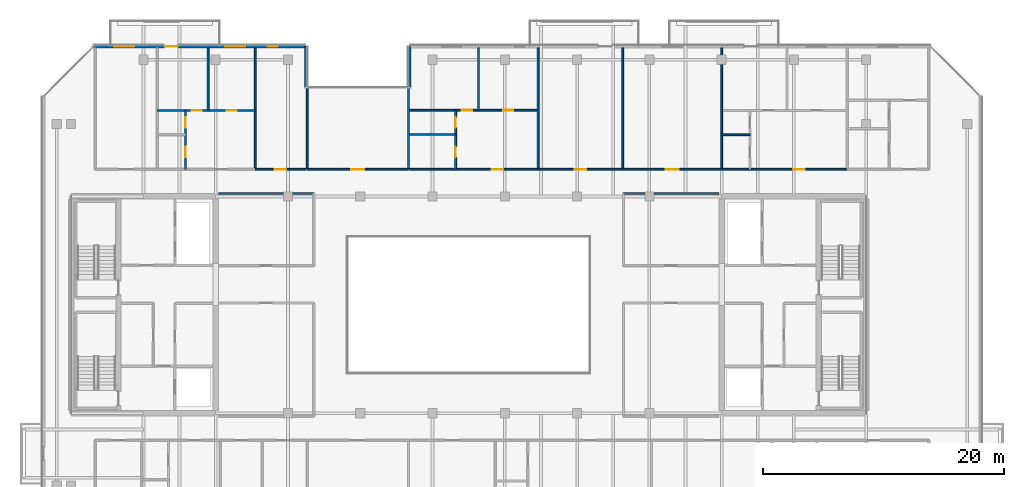
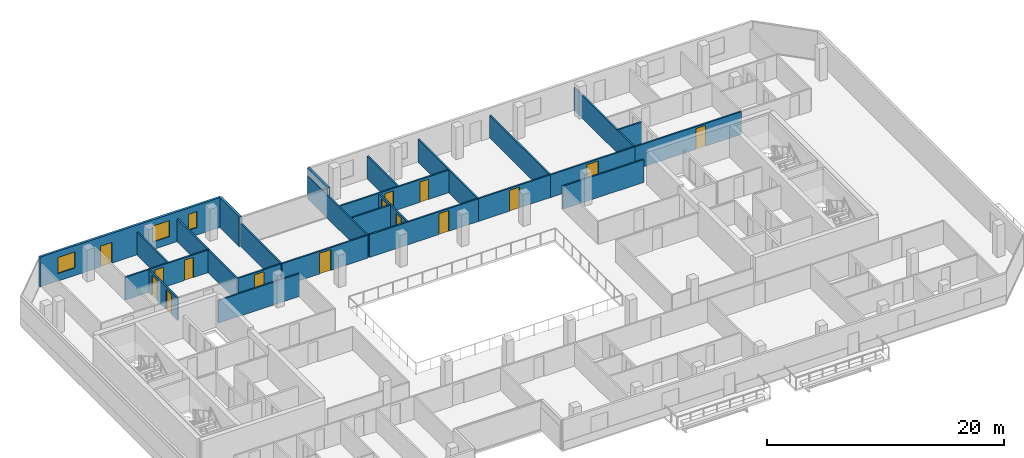
# One storey, part 21 of 28: 25 walls, 15 doors, 3 windows, 18 openings.
"""IFC4 building model written with IfcOpenShell, lengths in metres."""

from ifc_helpers import new_model, si_unit, direction, frame, frame_2d, origin, place, context, subcontext, project, spatial, rectangle, extrude, material, layer, layer_set, type_object, element, fill, save


model = new_model("IFC4")

# Units and contexts
model_context = context("Model", 3, precision=1e-05, world=origin(), true_north=direction((0.0, 1.0)))
body_context = subcontext(model_context, "Body", "Model", "MODEL_VIEW")
ifc_project = project(units=[si_unit("LENGTHUNIT", "METRE"), si_unit("AREAUNIT", "SQUARE_METRE"), si_unit("VOLUMEUNIT", "CUBIC_METRE"), si_unit("PLANEANGLEUNIT", "RADIAN"), si_unit("MASSUNIT", "GRAM", prefix="KILO")], contexts=[model_context])

# Site, building, storey
site_placement = place(None, origin())
site = spatial("IfcSite", under=ifc_project, at=site_placement, CompositionType="ELEMENT")
building_placement = place(site_placement, origin())
building = spatial("IfcBuilding", under=site, at=building_placement, Name="Tanjung Sevakor Pilgrim Tower", CompositionType="ELEMENT")
storey_placement = place(building_placement, frame((0.0, 0.0, 222.75)))
storey = spatial("IfcBuildingStorey", under=building, at=storey_placement, Name="L62", CompositionType="ELEMENT", Elevation=222.75)

# Walls
ifc_material_1 = material(Name="Concrete C40/50", Category="concrete")
ifc_layer_1 = layer(ifc_material_1, 0.14990234375)
ifc_layer_set_1 = layer_set([ifc_layer_1], Name="WT-COMP-150")
wall_type_1 = type_object("IfcWallType", Name="WT-COMP-150", PredefinedType="SOLIDWALL", material=ifc_layer_set_1)
for number, where, z_axis, x_axis, name in (
    (1, (36.2451171875, 42.85009765625, 0.0), (0.0, 0.0, 1.0), (1.0, 0.0, 0.0), "L62 Partition IW-L62-023"),
    (2, (69.85009765625, 42.85009765625, 0.0), (0.0, 0.0, 1.0), (1.0, 0.0, 0.0), "L62 Partition IW-L62-029"),
):
    element("IfcWall", number, at=place(storey_placement, frame(where, z_axis=z_axis, x_axis=x_axis)), inside=storey, type_object=wall_type_1, Name=name, PredefinedType="SOLIDWALL", context=body_context, shape_type="SweptSolid", body=[
        extrude(rectangle(XDim=7.90478515625, YDim=0.14990234375, at=frame_2d((3.952392578125, 0.0))), origin(), (0.0, 0.0, 1.0), 2.35009765625),
    ])

# Wall, opening, door
wall_1_placement = place(storey_placement, frame((43.60009765625, 44.85009765625, 0.0), z_axis=(0.0, 0.0, 1.0), x_axis=(1.0, 0.0, 0.0)))
wall_1 = element("IfcWall", 3, at=wall_1_placement, inside=storey, type_object=wall_type_1, Name="L62 Partition IW-L62-034", PredefinedType="SOLIDWALL", context=body_context, shape_type="SweptSolid", body=[
    extrude(rectangle(XDim=8.39990234375, YDim=0.14990234375, at=frame_2d((4.199951171875, 0.0))), origin(), (0.0, 0.0, 1.0), 2.35009765625),
])
opening_1_placement = place(wall_1_placement, frame((3.64990234375, 0.0, 0.0)))
opening_1 = element("IfcOpeningElement", 4, at=opening_1_placement, cuts=wall_1, Name="Opening ID-RM2", PredefinedType="OPENING", context=body_context, shape_type="SweptSolid", body=[
    extrude(rectangle(XDim=1.10009765625, YDim=2.14990234375, at=frame_2d((0.550048828125, 1.074951171875))), frame((0.0, 0.0849609375, 0.0), z_axis=(0.0, -1.0, 0.0), x_axis=(1.0, 0.0, 0.0)), (0.0, 0.0, 1.0), 0.169921875),
])
ifc_material_2 = material(Name="Hardwood Timber", Category="wood")
door_type_1 = type_object("IfcDoorType", Name="DT-INT-1100", OperationType="NOTDEFINED", PredefinedType="DOOR", material=ifc_material_2)
door_1_placement = place(opening_1_placement, origin())
door_1 = element("IfcDoor", 5, at=door_1_placement, inside=storey, type_object=door_type_1, Name="L62 North Cleft Reading Room Door", OperationType="SINGLE_SWING_LEFT", OverallHeight=2.14990234375, OverallWidth=1.10009765625, PredefinedType="DOOR", context=body_context, shape_type="SweptSolid", body=[
    extrude(rectangle(XDim=1.10009765625, YDim=2.14990234375, at=frame_2d((0.550048828125, 1.074951171875))), frame((0.0, 0.02490234375, 0.0), z_axis=(0.0, -1.0, 0.0), x_axis=(1.0, 0.0, 0.0)), (0.0, 0.0, 1.0), 0.050048828125),
])
fill(opening_1, door_1)

# Walls
for number, where, z_axis, x_axis, name in (
    (6, (43.60009765625, 44.85009765625, 0.0), (0.0, 0.0, 1.0), (0.0, 1.0, 0.0), "L62 Partition IW-L62-035"),
    (7, (52.0, 44.85009765625, 0.0), (0.0, 0.0, 1.0), (0.0, 1.0, 0.0), "L62 Partition IW-L62-036"),
    (8, (39.275390625, 44.85009765625, 0.0), (0.0, 0.0, 1.0), (0.0, 1.0, 0.0), "L62 Partition IW-L62-067"),
):
    element("IfcWall", number, at=place(storey_placement, frame(where, z_axis=z_axis, x_axis=x_axis)), inside=storey, type_object=wall_type_1, Name=name, PredefinedType="SOLIDWALL", context=body_context, shape_type="SweptSolid", body=[
        extrude(rectangle(XDim=10.079833984375, YDim=0.14990234375, at=frame_2d((5.0400390625, 0.0))), origin(), (0.0, 0.0, 1.0), 2.35009765625),
    ])

# Wall, opening, door
wall_2_placement = place(storey_placement, frame((39.275390625, 44.85009765625, 0.0), z_axis=(0.0, 0.0, 1.0), x_axis=(1.0, 0.0, 0.0)))
wall_2 = element("IfcWall", 9, at=wall_2_placement, inside=storey, type_object=wall_type_1, Name="L62 Partition IW-L62-073", PredefinedType="SOLIDWALL", context=body_context, shape_type="SweptSolid", body=[
    extrude(rectangle(XDim=4.20458984375, YDim=0.14990234375, at=frame_2d((2.102294921875, 0.0))), origin(), (0.0, 0.0, 1.0), 2.35009765625),
])
opening_2_placement = place(wall_2_placement, frame((1.627197265625, 0.0, 0.0)))
opening_2 = element("IfcOpeningElement", 10, at=opening_2_placement, cuts=wall_2, Name="Opening ID-FD2", PredefinedType="OPENING", context=body_context, shape_type="SweptSolid", body=[
    extrude(rectangle(XDim=0.949951171875, YDim=2.14990234375, at=frame_2d((0.47509765625, 1.074951171875))), frame((0.0, 0.0849609375, 0.0), z_axis=(0.0, -1.0, 0.0), x_axis=(1.0, 0.0, 0.0)), (0.0, 0.0, 1.0), 0.169921875),
])
ifc_material_3 = material(Name="Fire-Rated Timber", Category="wood")
door_type_2 = type_object("IfcDoorType", Name="DT-FIRE-950", OperationType="NOTDEFINED", PredefinedType="DOOR", material=ifc_material_3)
door_2_placement = place(opening_2_placement, origin())
door_2 = element("IfcDoor", 11, at=door_2_placement, inside=storey, type_object=door_type_2, Name="Study Room Entrance", OperationType="SINGLE_SWING_LEFT", OverallHeight=2.14990234375, OverallWidth=0.949951171875, PredefinedType="DOOR", context=body_context, shape_type="SweptSolid", body=[
    extrude(rectangle(XDim=0.949951171875, YDim=2.14990234375, at=frame_2d((0.47509765625, 1.074951171875))), frame((0.0, 0.02490234375, 0.0), z_axis=(0.0, -1.0, 0.0), x_axis=(1.0, 0.0, 0.0)), (0.0, 0.0, 1.0), 0.050048828125),
])
fill(opening_2, door_2)

# Wall
wall_3_placement = place(storey_placement, frame((62.76904296875, 44.85009765625, 0.0), z_axis=(0.0, 0.0, 1.0), x_axis=(0.0, 1.0, 0.0)))
element("IfcWall", 12, at=wall_3_placement, inside=storey, type_object=wall_type_1, Name="L62 Partition IW-L62-075", PredefinedType="SOLIDWALL", context=body_context, shape_type="SweptSolid", body=[
    extrude(rectangle(XDim=10.079833984375, YDim=0.14990234375, at=frame_2d((5.0400390625, 0.0))), origin(), (0.0, 0.0, 1.0), 2.35009765625),
])

# Wall, opening, door
wall_4_placement = place(storey_placement, frame((52.1201171875, 44.85009765625, 0.0), z_axis=(0.0, 0.0, 1.0), x_axis=(1.0, 0.0, 0.0)))
wall_4 = element("IfcWall", 13, at=wall_4_placement, inside=storey, type_object=wall_type_1, Name="L62 Partition IW-L62-080", PredefinedType="SOLIDWALL", context=body_context, shape_type="SweptSolid", body=[
    extrude(rectangle(XDim=10.64892578125, YDim=0.14990234375, at=frame_2d((5.324462890625, 0.0))), origin(), (0.0, 0.0, 1.0), 2.35009765625),
])
opening_3_placement = place(wall_4_placement, frame((6.78955078125, 0.0, 0.0)))
opening_3 = element("IfcOpeningElement", 14, at=opening_3_placement, cuts=wall_4, Name="Opening ID-FD2", PredefinedType="OPENING", context=body_context, shape_type="SweptSolid", body=[
    extrude(rectangle(XDim=0.949951171875, YDim=2.14990234375, at=frame_2d((0.47509765625, 1.074951171875))), frame((0.0, 0.0849609375, 0.0), z_axis=(0.0, -1.0, 0.0), x_axis=(1.0, 0.0, 0.0)), (0.0, 0.0, 1.0), 0.169921875),
])
door_3_placement = place(opening_3_placement, origin())
door_3 = element("IfcDoor", 15, at=door_3_placement, inside=storey, type_object=door_type_2, Name="Suite Entrance", OperationType="SINGLE_SWING_RIGHT", OverallHeight=2.14990234375, OverallWidth=0.949951171875, PredefinedType="DOOR", context=body_context, shape_type="SweptSolid", body=[
    extrude(rectangle(XDim=0.949951171875, YDim=2.14990234375, at=frame_2d((0.47509765625, 1.074951171875))), frame((0.0, 0.02490234375, 0.0), z_axis=(0.0, -1.0, 0.0), x_axis=(1.0, 0.0, 0.0)), (0.0, 0.0, 1.0), 0.050048828125),
])
fill(opening_3, door_3)

# Wall
wall_5_placement = place(storey_placement, frame((69.78759765625, 44.85009765625, 0.0), z_axis=(0.0, 0.0, 1.0), x_axis=(0.0, 1.0, 0.0)))
element("IfcWall", 16, at=wall_5_placement, inside=storey, type_object=wall_type_1, Name="L62 Partition IW-L62-081", PredefinedType="SOLIDWALL", context=body_context, shape_type="SweptSolid", body=[
    extrude(rectangle(XDim=10.079833984375, YDim=0.14990234375, at=frame_2d((5.0400390625, 0.0))), origin(), (0.0, 0.0, 1.0), 2.35009765625),
])

# Wall, opening, door
wall_6_placement = place(storey_placement, frame((62.76904296875, 44.85009765625, 0.0), z_axis=(0.0, 0.0, 1.0), x_axis=(1.0, 0.0, 0.0)))
wall_6 = element("IfcWall", 17, at=wall_6_placement, inside=storey, type_object=wall_type_1, Name="L62 Partition IW-L62-082", PredefinedType="SOLIDWALL", context=body_context, shape_type="SweptSolid", body=[
    extrude(rectangle(XDim=7.0185546875, YDim=0.14990234375, at=frame_2d((3.50927734375, 0.0))), origin(), (0.0, 0.0, 1.0), 2.35009765625),
])
opening_4_placement = place(wall_6_placement, frame((3.0341796875, 0.0, 0.0)))
opening_4 = element("IfcOpeningElement", 18, at=opening_4_placement, cuts=wall_6, Name="Opening ID-FD2", PredefinedType="OPENING", context=body_context, shape_type="SweptSolid", body=[
    extrude(rectangle(XDim=0.949951171875, YDim=2.14990234375, at=frame_2d((0.47509765625, 1.074951171875))), frame((0.0, 0.0849609375, 0.0), z_axis=(0.0, -1.0, 0.0), x_axis=(1.0, 0.0, 0.0)), (0.0, 0.0, 1.0), 0.169921875),
])
door_4_placement = place(opening_4_placement, origin())
door_4 = element("IfcDoor", 19, at=door_4_placement, inside=storey, type_object=door_type_2, Name="Study Room Entrance", OperationType="SINGLE_SWING_LEFT", OverallHeight=2.14990234375, OverallWidth=0.949951171875, PredefinedType="DOOR", context=body_context, shape_type="SweptSolid", body=[
    extrude(rectangle(XDim=0.949951171875, YDim=2.14990234375, at=frame_2d((0.47509765625, 1.074951171875))), frame((0.0, 0.02490234375, 0.0), z_axis=(0.0, -1.0, 0.0), x_axis=(1.0, 0.0, 0.0)), (0.0, 0.0, 1.0), 0.050048828125),
])
fill(opening_4, door_4)

# Wall
wall_7_placement = place(storey_placement, frame((78.0166015625, 44.85009765625, 0.0), z_axis=(0.0, 0.0, 1.0), x_axis=(0.0, 1.0, 0.0)))
element("IfcWall", 20, at=wall_7_placement, inside=storey, type_object=wall_type_1, Name="L62 Partition IW-L62-083", PredefinedType="SOLIDWALL", context=body_context, shape_type="SweptSolid", body=[
    extrude(rectangle(XDim=10.079833984375, YDim=0.14990234375, at=frame_2d((5.0400390625, 0.0))), origin(), (0.0, 0.0, 1.0), 2.35009765625),
])

# Wall, opening, door
wall_8_placement = place(storey_placement, frame((69.78759765625, 44.85009765625, 0.0), z_axis=(0.0, 0.0, 1.0), x_axis=(1.0, 0.0, 0.0)))
wall_8 = element("IfcWall", 21, at=wall_8_placement, inside=storey, type_object=wall_type_1, Name="L62 Partition IW-L62-084", PredefinedType="SOLIDWALL", context=body_context, shape_type="SweptSolid", body=[
    extrude(rectangle(XDim=8.22900390625, YDim=0.14990234375, at=frame_2d((4.114501953125, 0.0))), origin(), (0.0, 0.0, 1.0), 2.35009765625),
])
opening_5_placement = place(wall_8_placement, frame((3.564453125, 0.0, 0.0)))
opening_5 = element("IfcOpeningElement", 22, at=opening_5_placement, cuts=wall_8, Name="Opening ID-FD0", PredefinedType="OPENING", context=body_context, shape_type="SweptSolid", body=[
    extrude(rectangle(XDim=1.10009765625, YDim=2.14990234375, at=frame_2d((0.550048828125, 1.074951171875))), frame((0.0, 0.0849609375, 0.0), z_axis=(0.0, -1.0, 0.0), x_axis=(1.0, 0.0, 0.0)), (0.0, 0.0, 1.0), 0.169921875),
])
ifc_material_4 = material(Name="Fire-Rated Steel S355J2", Category="steel")
door_type_3 = type_object("IfcDoorType", Name="DT-FIRE-1100", OperationType="NOTDEFINED", PredefinedType="DOOR", material=ifc_material_4)
door_5_placement = place(opening_5_placement, origin())
door_5 = element("IfcDoor", 23, at=door_5_placement, inside=storey, type_object=door_type_3, Name="Council Room Door", OperationType="SINGLE_SWING_RIGHT", OverallHeight=2.14990234375, OverallWidth=1.10009765625, PredefinedType="DOOR", context=body_context, shape_type="SweptSolid", body=[
    extrude(rectangle(XDim=1.10009765625, YDim=2.14990234375, at=frame_2d((0.550048828125, 1.074951171875))), frame((0.0, 0.02490234375, 0.0), z_axis=(0.0, -1.0, 0.0), x_axis=(1.0, 0.0, 0.0)), (0.0, 0.0, 1.0), 0.050048828125),
])
fill(opening_5, door_5)

wall_9_placement = place(storey_placement, frame((78.0166015625, 44.85009765625, 0.0), z_axis=(0.0, 0.0, 1.0), x_axis=(1.0, 0.0, 0.0)))
wall_9 = element("IfcWall", 24, at=wall_9_placement, inside=storey, type_object=wall_type_1, Name="L62 Partition IW-L62-090", PredefinedType="SOLIDWALL", context=body_context, shape_type="SweptSolid", body=[
    extrude(rectangle(XDim=10.406982421875, YDim=0.14990234375, at=frame_2d((5.20361328125, 0.0))), origin(), (0.0, 0.0, 1.0), 2.35009765625),
])
opening_6_placement = place(wall_9_placement, frame((5.943603515625, 0.0, 0.0)))
opening_6 = element("IfcOpeningElement", 25, at=opening_6_placement, cuts=wall_9, Name="Opening ID-FD2", PredefinedType="OPENING", context=body_context, shape_type="SweptSolid", body=[
    extrude(rectangle(XDim=0.949951171875, YDim=2.14990234375, at=frame_2d((0.47509765625, 1.074951171875))), frame((0.0, 0.0849609375, 0.0), z_axis=(0.0, -1.0, 0.0), x_axis=(1.0, 0.0, 0.0)), (0.0, 0.0, 1.0), 0.169921875),
])
door_6_placement = place(opening_6_placement, origin())
door_6 = element("IfcDoor", 26, at=door_6_placement, inside=storey, type_object=door_type_2, Name="Suite Entrance", OperationType="SINGLE_SWING_LEFT", OverallHeight=2.14990234375, OverallWidth=0.949951171875, PredefinedType="DOOR", context=body_context, shape_type="SweptSolid", body=[
    extrude(rectangle(XDim=0.949951171875, YDim=2.14990234375, at=frame_2d((0.47509765625, 1.074951171875))), frame((0.0, 0.02490234375, 0.0), z_axis=(0.0, -1.0, 0.0), x_axis=(1.0, 0.0, 0.0)), (0.0, 0.0, 1.0), 0.050048828125),
])
fill(opening_6, door_6)

# Walls
ifc_material_5 = material(Name="Precast concrete C45/55", Category="concrete")
ifc_layer_2 = layer(ifc_material_5, 0.219970703125)
ifc_layer_set_2 = layer_set([ifc_layer_2], Name="WT-EW-STN4")
wall_type_2 = type_object("IfcWallType", Name="WT-EW-STN4", PredefinedType="SOLIDWALL", material=ifc_layer_set_2)
for number, where, z_axis, x_axis, name in (
    (27, (52.110107421875, 55.0400390625, 0.0), (0.0, 0.0, 1.0), (0.0, -1.0, 0.0), "L62 MAIN Exterior Wall 10"),
    (28, (43.489990234375, 51.639892578125, 0.0), (0.0, 0.0, 1.0), (0.0, 1.0, 0.0), "L62 MAIN Exterior Wall 12"),
):
    element("IfcWall", number, at=place(storey_placement, frame(where, z_axis=z_axis, x_axis=x_axis)), inside=storey, type_object=wall_type_2, Name=name, PredefinedType="SOLIDWALL", context=body_context, shape_type="SweptSolid", body=[
        extrude(rectangle(XDim=3.400146484375, YDim=0.219970703125, at=frame_2d((1.7001953125, 0.0))), origin(), (0.0, 0.0, 1.0), 3.080078125),
    ])

# Wall, openings, door, windows
wall_10_placement = place(storey_placement, frame((43.489990234375, 55.0400390625, 0.0), z_axis=(0.0, 0.0, 1.0), x_axis=(-1.0, 0.0, 0.0)))
wall_10 = element("IfcWall", 29, at=wall_10_placement, inside=storey, type_object=wall_type_2, Name="L62 MAIN Exterior Wall 13", PredefinedType="SOLIDWALL", context=body_context, shape_type="SweptSolid", body=[
    extrude(rectangle(XDim=17.644287109375, YDim=0.219970703125, at=frame_2d((8.822265625, 0.0))), origin(), (0.0, 0.0, 1.0), 3.080078125),
])
opening_7_placement = place(wall_10_placement, frame((10.639892578125, 0.0, 0.0)))
opening_7 = element("IfcOpeningElement", 30, at=opening_7_placement, cuts=wall_10, Name="Opening ED-BAL-1100", PredefinedType="OPENING", context=body_context, shape_type="SweptSolid", body=[
    extrude(rectangle(XDim=1.10009765625, YDim=2.14990234375, at=frame_2d((0.550048828125, 1.074951171875))), frame((0.0, 0.119873046875, 0.0), z_axis=(0.0, -1.0, 0.0), x_axis=(1.0, 0.0, 0.0)), (0.0, 0.0, 1.0), 0.239990234375),
])
opening_8_placement = place(wall_10_placement, frame((14.255615234375, 0.0, 0.780029296875)))
opening_8 = element("IfcOpeningElement", 31, at=opening_8_placement, cuts=wall_10, Name="Opening WN-Z4-1660", PredefinedType="OPENING", context=body_context, shape_type="SweptSolid", body=[
    extrude(rectangle(XDim=1.64990234375, YDim=1.659912109375, at=frame_2d((0.824951171875, 0.830078125))), frame((0.0, 0.119873046875, 0.0), z_axis=(0.0, -1.0, 0.0), x_axis=(1.0, 0.0, 0.0)), (0.0, 0.0, 1.0), 0.239990234375),
])
opening_9_placement = place(wall_10_placement, frame((5.0322265625, 0.0, 0.780029296875)))
opening_9 = element("IfcOpeningElement", 32, at=opening_9_placement, cuts=wall_10, Name="Opening WN-Z4-1660", PredefinedType="OPENING", context=body_context, shape_type="SweptSolid", body=[
    extrude(rectangle(XDim=1.64990234375, YDim=1.659912109375, at=frame_2d((0.824951171875, 0.830078125))), frame((0.0, 0.119873046875, 0.0), z_axis=(0.0, -1.0, 0.0), x_axis=(1.0, 0.0, 0.0)), (0.0, 0.0, 1.0), 0.239990234375),
])
opening_10_placement = place(wall_10_placement, frame((2.327392578125, 0.0, 0.780029296875)))
opening_10 = element("IfcOpeningElement", 33, at=opening_10_placement, cuts=wall_10, Name="Opening WN-SLM", PredefinedType="OPENING", context=body_context, shape_type="SweptSolid", body=[
    extrude(rectangle(XDim=0.85009765625, YDim=1.64990234375, at=frame_2d((0.425048828125, 0.824951171875))), frame((0.0, 0.119873046875, 0.0), z_axis=(0.0, -1.0, 0.0), x_axis=(1.0, 0.0, 0.0)), (0.0, 0.0, 1.0), 0.239990234375),
])
ifc_material_6 = material(Name="Anodised Aluminium and Laminated Glass", Category="aluminium")
door_type_4 = type_object("IfcDoorType", Name="DTYP-ED-BAL-1100", OperationType="NOTDEFINED", PredefinedType="DOOR", material=ifc_material_6)
door_7_placement = place(opening_7_placement, frame((1.10009765625, 0.0, 0.0), z_axis=(0.0, 0.0, 1.0), x_axis=(-1.0, 0.0, 0.0)))
door_7 = element("IfcDoor", 34, at=door_7_placement, inside=storey, type_object=door_type_4, Name="L62 Balcony Door MAIN-N1", OperationType="SINGLE_SWING_LEFT", OverallHeight=2.14990234375, OverallWidth=1.10009765625, PredefinedType="DOOR", context=body_context, shape_type="SweptSolid", body=[
    extrude(rectangle(XDim=1.10009765625, YDim=2.14990234375, at=frame_2d((0.550048828125, 1.074951171875))), frame((0.0, 0.02490234375, 0.0), z_axis=(0.0, -1.0, 0.0), x_axis=(1.0, 0.0, 0.0)), (0.0, 0.0, 1.0), 0.050048828125),
])
fill(opening_7, door_7)
ifc_material_7 = material(Name="Thermally Broken Aluminium and Low-E Glass", Category="aluminium")
window_type_1 = type_object("IfcWindowType", Name="WTYP-WN-SLM", PartitioningType="SINGLE_PANEL", PredefinedType="WINDOW", material=ifc_material_7)
window_1_placement = place(opening_10_placement, origin())
window_1 = element("IfcWindow", 35, at=window_1_placement, inside=storey, type_object=window_type_1, Name="L62 Facade Window 03", OverallHeight=1.64990234375, OverallWidth=0.85009765625, PartitioningType="SINGLE_PANEL", PredefinedType="WINDOW", context=body_context, shape_type="SweptSolid", body=[
    extrude(rectangle(XDim=0.85009765625, YDim=1.64990234375, at=frame_2d((0.425048828125, 0.824951171875))), frame((0.0, 0.030029296875, 0.0), z_axis=(0.0, -1.0, 0.0), x_axis=(1.0, 0.0, 0.0)), (0.0, 0.0, 1.0), 0.06005859375),
])
fill(opening_10, window_1)
ifc_material_8 = material(Name="Thermally Broken Aluminium and Low-E Glass", Category="aluminium")
window_type_2 = type_object("IfcWindowType", Name="WTYP-WN-Z4-1660", PartitioningType="DOUBLE_PANEL_VERTICAL", PredefinedType="WINDOW", material=ifc_material_8)
window_2_placement = place(opening_8_placement, origin())
window_2 = element("IfcWindow", 36, at=window_2_placement, inside=storey, type_object=window_type_2, Name="L62 Facade Window 01", OverallHeight=1.659912109375, OverallWidth=1.64990234375, PartitioningType="SINGLE_PANEL", PredefinedType="WINDOW", context=body_context, shape_type="SweptSolid", body=[
    extrude(rectangle(XDim=1.64990234375, YDim=1.659912109375, at=frame_2d((0.824951171875, 0.830078125))), frame((0.0, 0.030029296875, 0.0), z_axis=(0.0, -1.0, 0.0), x_axis=(1.0, 0.0, 0.0)), (0.0, 0.0, 1.0), 0.06005859375),
])
fill(opening_8, window_2)
window_3_placement = place(opening_9_placement, origin())
window_3 = element("IfcWindow", 37, at=window_3_placement, inside=storey, type_object=window_type_2, Name="L62 Facade Window 02", OverallHeight=1.659912109375, OverallWidth=1.64990234375, PartitioningType="SINGLE_PANEL", PredefinedType="WINDOW", context=body_context, shape_type="SweptSolid", body=[
    extrude(rectangle(XDim=1.64990234375, YDim=1.659912109375, at=frame_2d((0.824951171875, 0.830078125))), frame((0.0, 0.030029296875, 0.0), z_axis=(0.0, -1.0, 0.0), x_axis=(1.0, 0.0, 0.0)), (0.0, 0.0, 1.0), 0.06005859375),
])
fill(opening_9, window_3)

# Wall, openings, doors
ifc_material_9 = material(Name="Gypsum Board Partition", Category="gypsum board")
ifc_layer_3 = layer(ifc_material_9, 0.14990234375)
ifc_layer_set_3 = layer_set([ifc_layer_3], Name="WT-PART-150")
wall_type_3 = type_object("IfcWallType", Name="WT-PART-150", PredefinedType="PARTITIONING", material=ifc_layer_set_3)
wall_11_placement = place(storey_placement, frame((33.489013671875, 44.85009765625, 0.0), z_axis=(0.0, 0.0, 1.0), x_axis=(0.0, 1.0, 0.0)))
wall_11 = element("IfcWall", 38, at=wall_11_placement, inside=storey, type_object=wall_type_3, Name="L62 Partition IW-L62-069", PredefinedType="PARTITIONING", context=body_context, shape_type="SweptSolid", body=[
    extrude(rectangle(XDim=4.8798828125, YDim=0.14990234375, at=frame_2d((2.43994140625, 0.0))), origin(), (0.0, 0.0, 1.0), 2.35009765625),
])
opening_11_placement = place(wall_11_placement, frame((1.0146484375, 0.0, 0.0)))
opening_11 = element("IfcOpeningElement", 39, at=opening_11_placement, cuts=wall_11, Name="Opening ID-WC1", PredefinedType="OPENING", context=body_context, shape_type="SweptSolid", body=[
    extrude(rectangle(XDim=0.85009765625, YDim=2.10009765625, at=frame_2d((0.425048828125, 1.050048828125))), frame((0.0, 0.0849609375, 0.0), z_axis=(0.0, -1.0, 0.0), x_axis=(1.0, 0.0, 0.0)), (0.0, 0.0, 1.0), 0.169921875),
])
opening_12_placement = place(wall_11_placement, frame((3.45458984375, 0.0, 0.0)))
opening_12 = element("IfcOpeningElement", 40, at=opening_12_placement, cuts=wall_11, Name="Opening ID-WC1", PredefinedType="OPENING", context=body_context, shape_type="SweptSolid", body=[
    extrude(rectangle(XDim=0.85009765625, YDim=2.10009765625, at=frame_2d((0.425048828125, 1.050048828125))), frame((0.0, 0.0849609375, 0.0), z_axis=(0.0, -1.0, 0.0), x_axis=(1.0, 0.0, 0.0)), (0.0, 0.0, 1.0), 0.169921875),
])
ifc_material_10 = material(Name="Moisture-Resistant Timber", Category="wood")
door_type_5 = type_object("IfcDoorType", Name="DT-INT-850", OperationType="NOTDEFINED", PredefinedType="DOOR", material=ifc_material_10)
door_8_placement = place(opening_11_placement, origin())
door_8 = element("IfcDoor", 41, at=door_8_placement, inside=storey, type_object=door_type_5, Name="Suite Kitchenette Door", OperationType="SINGLE_SWING_RIGHT", OverallHeight=2.10009765625, OverallWidth=0.85009765625, PredefinedType="DOOR", context=body_context, shape_type="SweptSolid", body=[
    extrude(rectangle(XDim=0.85009765625, YDim=2.10009765625, at=frame_2d((0.425048828125, 1.050048828125))), frame((0.0, 0.02490234375, 0.0), z_axis=(0.0, -1.0, 0.0), x_axis=(1.0, 0.0, 0.0)), (0.0, 0.0, 1.0), 0.050048828125),
])
fill(opening_11, door_8)
door_9_placement = place(opening_12_placement, origin())
door_9 = element("IfcDoor", 42, at=door_9_placement, inside=storey, type_object=door_type_5, Name="Suite Bathroom Door", OperationType="SINGLE_SWING_LEFT", OverallHeight=2.10009765625, OverallWidth=0.85009765625, PredefinedType="DOOR", context=body_context, shape_type="SweptSolid", body=[
    extrude(rectangle(XDim=0.85009765625, YDim=2.10009765625, at=frame_2d((0.425048828125, 1.050048828125))), frame((0.0, 0.02490234375, 0.0), z_axis=(0.0, -1.0, 0.0), x_axis=(1.0, 0.0, 0.0)), (0.0, 0.0, 1.0), 0.050048828125),
])
fill(opening_12, door_9)

# Wall
wall_12_placement = place(storey_placement, frame((35.369873046875, 49.72998046875, 0.0), z_axis=(0.0, 0.0, 1.0), x_axis=(0.0, 1.0, 0.0)))
element("IfcWall", 43, at=wall_12_placement, inside=storey, type_object=wall_type_3, Name="L62 Partition IW-L62-070", PredefinedType="PARTITIONING", context=body_context, shape_type="SweptSolid", body=[
    extrude(rectangle(XDim=5.199951171875, YDim=0.14990234375, at=frame_2d((2.60009765625, 0.0))), origin(), (0.0, 0.0, 1.0), 2.35009765625),
])

# Wall, openings, doors
wall_13_placement = place(storey_placement, frame((31.138916015625, 49.72998046875, 0.0), z_axis=(0.0, 0.0, 1.0), x_axis=(1.0, 0.0, 0.0)))
wall_13 = element("IfcWall", 44, at=wall_13_placement, inside=storey, type_object=wall_type_3, Name="L62 Partition IW-L62-071", PredefinedType="PARTITIONING", context=body_context, shape_type="SweptSolid", body=[
    extrude(rectangle(XDim=8.136474609375, YDim=0.14990234375, at=frame_2d((4.068359375, 0.0))), origin(), (0.0, 0.0, 1.0), 2.35009765625),
])
opening_13_placement = place(wall_13_placement, frame((2.865478515625, 0.0, 0.0)))
opening_13 = element("IfcOpeningElement", 45, at=opening_13_placement, cuts=wall_13, Name="Opening ID-WC1", PredefinedType="OPENING", context=body_context, shape_type="SweptSolid", body=[
    extrude(rectangle(XDim=0.85009765625, YDim=2.10009765625, at=frame_2d((0.425048828125, 1.050048828125))), frame((0.0, 0.0849609375, 0.0), z_axis=(0.0, -1.0, 0.0), x_axis=(1.0, 0.0, 0.0)), (0.0, 0.0, 1.0), 0.169921875),
])
opening_14_placement = place(wall_13_placement, frame((5.7587890625, 0.0, 0.0)))
opening_14 = element("IfcOpeningElement", 46, at=opening_14_placement, cuts=wall_13, Name="Opening ID-WC1", PredefinedType="OPENING", context=body_context, shape_type="SweptSolid", body=[
    extrude(rectangle(XDim=0.85009765625, YDim=2.10009765625, at=frame_2d((0.425048828125, 1.050048828125))), frame((0.0, 0.0849609375, 0.0), z_axis=(0.0, -1.0, 0.0), x_axis=(1.0, 0.0, 0.0)), (0.0, 0.0, 1.0), 0.169921875),
])
door_10_placement = place(opening_13_placement, origin())
door_10 = element("IfcDoor", 47, at=door_10_placement, inside=storey, type_object=door_type_5, Name="Suite Bedroom 1 Door", OperationType="SINGLE_SWING_RIGHT", OverallHeight=2.10009765625, OverallWidth=0.85009765625, PredefinedType="DOOR", context=body_context, shape_type="SweptSolid", body=[
    extrude(rectangle(XDim=0.85009765625, YDim=2.10009765625, at=frame_2d((0.425048828125, 1.050048828125))), frame((0.0, 0.02490234375, 0.0), z_axis=(0.0, -1.0, 0.0), x_axis=(1.0, 0.0, 0.0)), (0.0, 0.0, 1.0), 0.050048828125),
])
fill(opening_13, door_10)
door_11_placement = place(opening_14_placement, origin())
door_11 = element("IfcDoor", 48, at=door_11_placement, inside=storey, type_object=door_type_5, Name="Suite Bedroom 2 Door", OperationType="SINGLE_SWING_LEFT", OverallHeight=2.10009765625, OverallWidth=0.85009765625, PredefinedType="DOOR", context=body_context, shape_type="SweptSolid", body=[
    extrude(rectangle(XDim=0.85009765625, YDim=2.10009765625, at=frame_2d((0.425048828125, 1.050048828125))), frame((0.0, 0.02490234375, 0.0), z_axis=(0.0, -1.0, 0.0), x_axis=(1.0, 0.0, 0.0)), (0.0, 0.0, 1.0), 0.050048828125),
])
fill(opening_14, door_11)

# Wall
wall_14_placement = place(storey_placement, frame((52.1201171875, 47.74365234375, 0.0), z_axis=(0.0, 0.0, 1.0), x_axis=(1.0, 0.0, 0.0)))
element("IfcWall", 49, at=wall_14_placement, inside=storey, type_object=wall_type_3, Name="L62 Partition IW-L62-076", PredefinedType="PARTITIONING", context=body_context, shape_type="SweptSolid", body=[
    extrude(rectangle(XDim=3.7998046875, YDim=0.14990234375, at=frame_2d((1.89990234375, 0.0))), origin(), (0.0, 0.0, 1.0), 2.35009765625),
])

# Wall, openings, doors
wall_15_placement = place(storey_placement, frame((55.919921875, 44.85009765625, 0.0), z_axis=(0.0, 0.0, 1.0), x_axis=(0.0, 1.0, 0.0)))
wall_15 = element("IfcWall", 50, at=wall_15_placement, inside=storey, type_object=wall_type_3, Name="L62 Partition IW-L62-077", PredefinedType="PARTITIONING", context=body_context, shape_type="SweptSolid", body=[
    extrude(rectangle(XDim=4.904541015625, YDim=0.14990234375, at=frame_2d((2.4521484375, 0.0))), origin(), (0.0, 0.0, 1.0), 2.35009765625),
])
opening_15_placement = place(wall_15_placement, frame((1.021728515625, 0.0, 0.0)))
opening_15 = element("IfcOpeningElement", 51, at=opening_15_placement, cuts=wall_15, Name="Opening ID-WC1", PredefinedType="OPENING", context=body_context, shape_type="SweptSolid", body=[
    extrude(rectangle(XDim=0.85009765625, YDim=2.10009765625, at=frame_2d((0.425048828125, 1.050048828125))), frame((0.0, 0.0849609375, 0.0), z_axis=(0.0, -1.0, 0.0), x_axis=(1.0, 0.0, 0.0)), (0.0, 0.0, 1.0), 0.169921875),
])
opening_16_placement = place(wall_15_placement, frame((3.47412109375, 0.0, 0.0)))
opening_16 = element("IfcOpeningElement", 52, at=opening_16_placement, cuts=wall_15, Name="Opening ID-WC1", PredefinedType="OPENING", context=body_context, shape_type="SweptSolid", body=[
    extrude(rectangle(XDim=0.85009765625, YDim=2.10009765625, at=frame_2d((0.425048828125, 1.050048828125))), frame((0.0, 0.0849609375, 0.0), z_axis=(0.0, -1.0, 0.0), x_axis=(1.0, 0.0, 0.0)), (0.0, 0.0, 1.0), 0.169921875),
])
door_12_placement = place(opening_15_placement, origin())
door_12 = element("IfcDoor", 53, at=door_12_placement, inside=storey, type_object=door_type_5, Name="Suite Kitchenette Door", OperationType="SINGLE_SWING_RIGHT", OverallHeight=2.10009765625, OverallWidth=0.85009765625, PredefinedType="DOOR", context=body_context, shape_type="SweptSolid", body=[
    extrude(rectangle(XDim=0.85009765625, YDim=2.10009765625, at=frame_2d((0.425048828125, 1.050048828125))), frame((0.0, 0.02490234375, 0.0), z_axis=(0.0, -1.0, 0.0), x_axis=(1.0, 0.0, 0.0)), (0.0, 0.0, 1.0), 0.050048828125),
])
fill(opening_15, door_12)
door_13_placement = place(opening_16_placement, origin())
door_13 = element("IfcDoor", 54, at=door_13_placement, inside=storey, type_object=door_type_5, Name="Suite Bathroom Door", OperationType="SINGLE_SWING_LEFT", OverallHeight=2.10009765625, OverallWidth=0.85009765625, PredefinedType="DOOR", context=body_context, shape_type="SweptSolid", body=[
    extrude(rectangle(XDim=0.85009765625, YDim=2.10009765625, at=frame_2d((0.425048828125, 1.050048828125))), frame((0.0, 0.02490234375, 0.0), z_axis=(0.0, -1.0, 0.0), x_axis=(1.0, 0.0, 0.0)), (0.0, 0.0, 1.0), 0.050048828125),
])
fill(opening_16, door_13)

# Wall
wall_16_placement = place(storey_placement, frame((57.820068359375, 49.754638671875, 0.0), z_axis=(0.0, 0.0, 1.0), x_axis=(0.0, 1.0, 0.0)))
element("IfcWall", 55, at=wall_16_placement, inside=storey, type_object=wall_type_3, Name="L62 Partition IW-L62-078", PredefinedType="PARTITIONING", context=body_context, shape_type="SweptSolid", body=[
    extrude(rectangle(XDim=5.17529296875, YDim=0.14990234375, at=frame_2d((2.587646484375, 0.0))), origin(), (0.0, 0.0, 1.0), 2.35009765625),
])

# Wall, openings, doors
wall_17_placement = place(storey_placement, frame((52.1201171875, 49.754638671875, 0.0), z_axis=(0.0, 0.0, 1.0), x_axis=(1.0, 0.0, 0.0)))
wall_17 = element("IfcWall", 56, at=wall_17_placement, inside=storey, type_object=wall_type_3, Name="L62 Partition IW-L62-079", PredefinedType="PARTITIONING", context=body_context, shape_type="SweptSolid", body=[
    extrude(rectangle(XDim=10.64892578125, YDim=0.14990234375, at=frame_2d((5.324462890625, 0.0))), origin(), (0.0, 0.0, 1.0), 2.35009765625),
])
opening_17_placement = place(wall_17_placement, frame((4.324951171875, 0.0, 0.0)))
opening_17 = element("IfcOpeningElement", 57, at=opening_17_placement, cuts=wall_17, Name="Opening ID-WC1", PredefinedType="OPENING", context=body_context, shape_type="SweptSolid", body=[
    extrude(rectangle(XDim=0.85009765625, YDim=2.10009765625, at=frame_2d((0.425048828125, 1.050048828125))), frame((0.0, 0.0849609375, 0.0), z_axis=(0.0, -1.0, 0.0), x_axis=(1.0, 0.0, 0.0)), (0.0, 0.0, 1.0), 0.169921875),
])
opening_18_placement = place(wall_17_placement, frame((7.74951171875, 0.0, 0.0)))
opening_18 = element("IfcOpeningElement", 58, at=opening_18_placement, cuts=wall_17, Name="Opening ID-WC1", PredefinedType="OPENING", context=body_context, shape_type="SweptSolid", body=[
    extrude(rectangle(XDim=0.85009765625, YDim=2.10009765625, at=frame_2d((0.425048828125, 1.050048828125))), frame((0.0, 0.0849609375, 0.0), z_axis=(0.0, -1.0, 0.0), x_axis=(1.0, 0.0, 0.0)), (0.0, 0.0, 1.0), 0.169921875),
])
door_14_placement = place(opening_17_placement, origin())
door_14 = element("IfcDoor", 59, at=door_14_placement, inside=storey, type_object=door_type_5, Name="Suite Bedroom 1 Door", OperationType="SINGLE_SWING_RIGHT", OverallHeight=2.10009765625, OverallWidth=0.85009765625, PredefinedType="DOOR", context=body_context, shape_type="SweptSolid", body=[
    extrude(rectangle(XDim=0.85009765625, YDim=2.10009765625, at=frame_2d((0.425048828125, 1.050048828125))), frame((0.0, 0.02490234375, 0.0), z_axis=(0.0, -1.0, 0.0), x_axis=(1.0, 0.0, 0.0)), (0.0, 0.0, 1.0), 0.050048828125),
])
fill(opening_17, door_14)
door_15_placement = place(opening_18_placement, origin())
door_15 = element("IfcDoor", 60, at=door_15_placement, inside=storey, type_object=door_type_5, Name="Suite Bedroom 2 Door", OperationType="SINGLE_SWING_LEFT", OverallHeight=2.10009765625, OverallWidth=0.85009765625, PredefinedType="DOOR", context=body_context, shape_type="SweptSolid", body=[
    extrude(rectangle(XDim=0.85009765625, YDim=2.10009765625, at=frame_2d((0.425048828125, 1.050048828125))), frame((0.0, 0.02490234375, 0.0), z_axis=(0.0, -1.0, 0.0), x_axis=(1.0, 0.0, 0.0)), (0.0, 0.0, 1.0), 0.050048828125),
])
fill(opening_18, door_15)

# Wall
wall_18_placement = place(storey_placement, frame((78.0166015625, 47.729248046875, 0.0), z_axis=(0.0, 0.0, 1.0), x_axis=(1.0, 0.0, 0.0)))
element("IfcWall", 61, at=wall_18_placement, inside=storey, type_object=wall_type_3, Name="L62 Partition IW-L62-086", PredefinedType="PARTITIONING", context=body_context, shape_type="SweptSolid", body=[
    extrude(rectangle(XDim=2.349853515625, YDim=0.14990234375, at=frame_2d((1.1748046875, 0.0))), origin(), (0.0, 0.0, 1.0), 2.35009765625),
])

save(model, "model.ifc")
